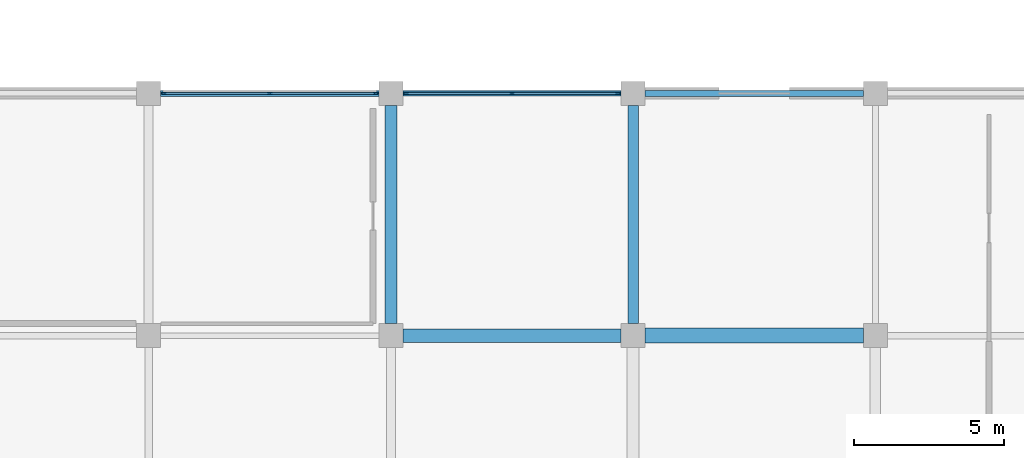
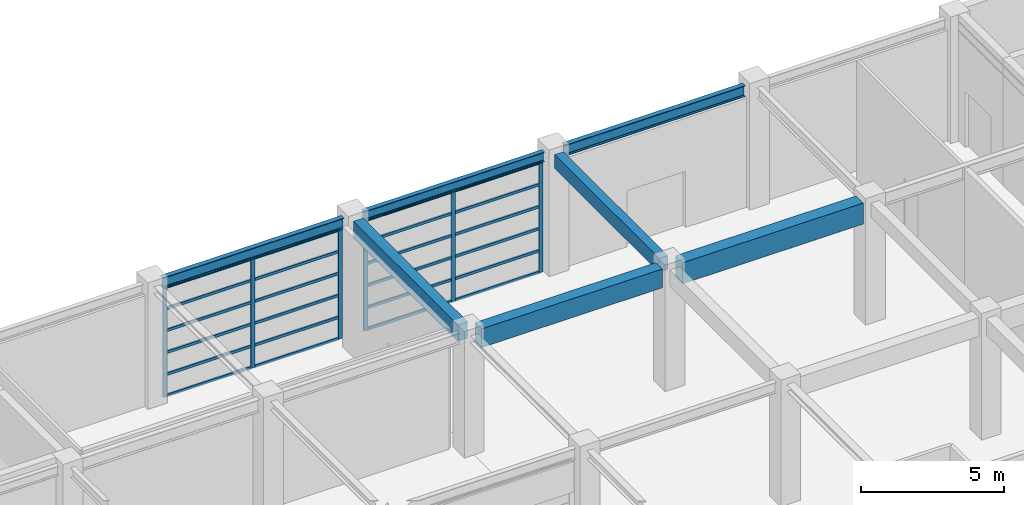
# One storey, part 25 of 52: 30 members, 7 beams, 2 elements without a shape of their own.
"""IFC4 building model written with IfcOpenShell, lengths in metres."""

import ifcopenshell
import ifcopenshell.guid

model = None  # the IFC model being written
_history = None  # IfcOwnerHistory: only IFC2X3 demands one
_inside = {}  # id of a spatial element -> (the spatial element, [elements in it])
_under = {}  # id of a project, library or spatial element -> (it, [spatial elements below it])
_declared = {}  # id of a project -> (the project, [libraries it declares])
_typed = {}  # id of a type object -> (the type object, [elements of that type])
_made_of = {}  # id of a material, layer set ... -> (it, [elements and type objects made of it])


def new_model(schema):
    """Start an empty IFC model of exactly this schema.

    Asked for "IFC4X3", IfcOpenShell would pick the latest addendum, in which some entities
    have other attributes; the version numbers below select the first issue.
    IFC2X3 requires an IfcOwnerHistory on every rooted entity: one is made here for all.
    """
    global model, _history
    if schema == "IFC4X3":
        model = ifcopenshell.file(schema_version=(4, 3, 0, 0))
    else:
        model = ifcopenshell.file(schema=schema)
    _inside.clear()
    _under.clear()
    _declared.clear()
    _typed.clear()
    _made_of.clear()
    _history = None
    if model.schema == "IFC2X3":
        org = make("IfcOrganization", Name="unknown")
        user = make(
            "IfcPersonAndOrganization",
            ThePerson=make("IfcPerson", FamilyName="unknown"),
            TheOrganization=org,
        )
        app = make(
            "IfcApplication",
            ApplicationDeveloper=org,
            Version="unknown",
            ApplicationFullName="unknown",
            ApplicationIdentifier="unknown",
        )
        _history = make(
            "IfcOwnerHistory",
            OwningUser=user,
            OwningApplication=app,
            ChangeAction="ADDED",
            CreationDate=0,
        )
    return model


def make(cls, **values):
    """One entity of the class cls with the attributes given. An attribute that is None is left unset."""
    return model.create_entity(
        cls, **{name: value for name, value in values.items() if value is not None}
    )


def rooted(cls, **values):
    """An entity with a GlobalId (a new one), such as an element, a storey or a relation."""
    return make(cls, GlobalId=ifcopenshell.guid.new(), OwnerHistory=_history, **values)


def si_unit(unit_type, name, prefix=None):
    """IfcSIUnit, for example si_unit("LENGTHUNIT", "METRE", prefix="MILLI")."""
    return make("IfcSIUnit", UnitType=unit_type, Prefix=prefix, Name=name)


def assignment(units):
    """IfcUnitAssignment: the units of a project."""
    return None if units is None else make("IfcUnitAssignment", Units=units)


def point(xyz):
    """IfcCartesianPoint."""
    return None if xyz is None else make("IfcCartesianPoint", Coordinates=xyz)


def direction(xyz):
    """IfcDirection."""
    return None if xyz is None else make("IfcDirection", DirectionRatios=xyz)


def frame(location, z_axis=None, x_axis=None):
    """IfcAxis2Placement3D, a coordinate frame: its origin and axes. An axis left out is left unset."""
    return make(
        "IfcAxis2Placement3D",
        Location=point(location),
        Axis=direction(z_axis),
        RefDirection=direction(x_axis),
    )


def frame_2d(location, x_axis=None):
    """IfcAxis2Placement2D, a coordinate frame in the plane: its origin and x axis."""
    return make(
        "IfcAxis2Placement2D", Location=point(location), RefDirection=direction(x_axis)
    )


def origin():
    """The frame at (0, 0, 0) with its axes left unset."""
    return frame((0.0, 0.0, 0.0))


def origin_2d():
    """The frame at (0, 0) in the plane with its x axis left unset."""
    return frame_2d((0.0, 0.0))


def place(relative_to, where):
    """IfcLocalPlacement: puts the frame where relative to a parent placement (None: the world)."""
    return make(
        "IfcLocalPlacement", PlacementRelTo=relative_to, RelativePlacement=where
    )


def context(
    kind, dimensions, precision=None, world=None, true_north=None, identifier=None
):
    """IfcGeometricRepresentationContext, for example the 3D "Model" context."""
    return make(
        "IfcGeometricRepresentationContext",
        ContextIdentifier=identifier,
        ContextType=kind,
        CoordinateSpaceDimension=dimensions,
        Precision=precision,
        WorldCoordinateSystem=world,
        TrueNorth=true_north,
    )


def subcontext(parent, identifier, kind, view, scale=None):
    """IfcGeometricRepresentationSubContext, for example "Body" below "Model"."""
    return make(
        "IfcGeometricRepresentationSubContext",
        ContextIdentifier=identifier,
        ContextType=kind,
        ParentContext=parent,
        TargetScale=scale,
        TargetView=view,
    )


def project(units=None, contexts=None):
    """IfcProject with its units and contexts."""
    return rooted(
        "IfcProject",
        Name="project",
        RepresentationContexts=contexts,
        UnitsInContext=assignment(units),
    )


def spatial(cls, under=None, at=None, **own):
    """A site, building, storey or space (cls), placed at a placement, below another one or the project."""
    s = rooted(cls, ObjectPlacement=at, **own)
    if under is not None:
        _under.setdefault(under.id(), (under, []))[1].append(s)
    return s


def profile(cls, at=None, kind="AREA", **sizes):
    """A parametric profile (cls). Its sizes go by their IFC names, for example OverallWidth=200.0."""
    return make(cls, ProfileType=kind, Position=at, **sizes)


def rectangle(**sizes):
    """IfcRectangleProfileDef."""
    return profile("IfcRectangleProfileDef", **sizes)


def i_section(**sizes):
    """IfcIShapeProfileDef."""
    return profile("IfcIShapeProfileDef", **sizes)


def extrude(swept, where, along, depth):
    """IfcExtrudedAreaSolid: the profile swept, set in the frame where, extruded along a direction by depth."""
    return make(
        "IfcExtrudedAreaSolid",
        SweptArea=swept,
        Position=where,
        ExtrudedDirection=direction(along),
        Depth=depth,
    )


def shape(context_of_items, identifier, shape_type, items):
    """IfcShapeRepresentation: the items that make up one representation, for example the "Body"."""
    return make(
        "IfcShapeRepresentation",
        ContextOfItems=context_of_items,
        RepresentationIdentifier=identifier,
        RepresentationType=shape_type,
        Items=items,
    )


def material(Name=None, Category=None):
    """IfcMaterial."""
    return make("IfcMaterial", Name=Name, Category=Category)


def material_profile(
    of_material, cross_section, Name=None, Category=None, Priority=None
):
    """IfcMaterialProfile: a cross section and its material."""
    return make(
        "IfcMaterialProfile",
        Name=Name,
        Material=of_material,
        Profile=cross_section,
        Priority=Priority,
        Category=Category,
    )


def profile_set(profiles, Name=None, composite=None):
    """IfcMaterialProfileSet."""
    return make(
        "IfcMaterialProfileSet",
        Name=Name,
        MaterialProfiles=profiles,
        CompositeProfile=composite,
    )


def made_of(thing, what):
    """Note that an element or type object is made of a material, layer set ...; save() writes the relation."""
    if what is not None:
        _made_of.setdefault(what.id(), (what, []))[1].append(thing)
    return thing


def type_object(cls, material=None, **own):
    """A type object (cls), such as IfcWallType, which elements share."""
    return made_of(rooted(cls, **own), material)


def element(
    cls,
    number,
    at=None,
    inside=None,
    cuts=None,
    type_object=None,
    material=None,
    context=None,
    identifier="Body",
    shape_type=None,
    held_by="IfcProductDefinitionShape",
    body=None,
    shapes=None,
    **own,
):
    """One element of the class cls, such as IfcWall. Its Tag is "e" and its number.

    at: its placement. inside: the storey or other place that contains it. cuts: it is an
    opening in that element (IfcRelVoidsElement). A single representation is given by context,
    identifier, shape_type and body (its items); several are given by shapes. held_by: the class
    of the entity that holds the representations. save() writes the other relations.
    """
    e = rooted(cls, Tag="e%d" % number, ObjectPlacement=at, **own)
    if body is not None:
        shapes = [shape(context, identifier, shape_type, body)]
    if shapes is not None:
        e.Representation = make(held_by, Representations=shapes)
    if inside is not None:
        _inside.setdefault(inside.id(), (inside, []))[1].append(e)
    if cuts is not None:
        rooted(
            "IfcRelVoidsElement", RelatingBuildingElement=cuts, RelatedOpeningElement=e
        )
    if type_object is not None:
        _typed.setdefault(type_object.id(), (type_object, []))[1].append(e)
    return made_of(e, material)


def aggregate(whole, parts):
    """IfcRelAggregates: a whole, such as a stair, and the parts it consists of."""
    return rooted("IfcRelAggregates", RelatingObject=whole, RelatedObjects=parts)


def save(model, path):
    """Write the relations noted so far, then the file.

    IfcRelAggregates (storeys below a building ...), IfcRelContainedInSpatialStructure (elements
    in a storey), IfcRelDefinesByType, IfcRelAssociatesMaterial and IfcRelDeclares: one each for
    every whole, place, type object, material and project.
    """
    for whole, parts in _under.values():
        aggregate(whole, parts)
    for where, things in _inside.values():
        rooted(
            "IfcRelContainedInSpatialStructure",
            RelatedElements=things,
            RelatingStructure=where,
        )
    for kind, things in _typed.values():
        rooted("IfcRelDefinesByType", RelatedObjects=things, RelatingType=kind)
    for what, things in _made_of.values():
        rooted("IfcRelAssociatesMaterial", RelatedObjects=things, RelatingMaterial=what)
    for by, libraries in _declared.values():
        rooted("IfcRelDeclares", RelatingContext=by, RelatedDefinitions=libraries)
    model.write(path)


model = new_model("IFC4")

# Units and contexts
model_context = context("Model", 3, precision=1e-05, world=origin(), true_north=direction((0.0, 1.0)))
body_context = subcontext(model_context, "Body", "Model", "MODEL_VIEW")
ifc_project = project(units=[si_unit("LENGTHUNIT", "METRE"), si_unit("AREAUNIT", "SQUARE_METRE"), si_unit("VOLUMEUNIT", "CUBIC_METRE"), si_unit("PLANEANGLEUNIT", "RADIAN"), si_unit("MASSUNIT", "GRAM", prefix="KILO")], contexts=[model_context])

# Site, building, storey
site_placement = place(None, origin())
site = spatial("IfcSite", under=ifc_project, at=site_placement, CompositionType="ELEMENT")
building_placement = place(site_placement, origin())
building = spatial("IfcBuilding", under=site, at=building_placement, Name="Parian Resonance Hall", CompositionType="ELEMENT")
storey_placement = place(building_placement, origin())
storey = spatial("IfcBuildingStorey", under=building, at=storey_placement, Name="L00", CompositionType="ELEMENT", Elevation=0.0)

# Beams
ifc_material_1 = material(Name="Concrete C40/50", Category="concrete")
ifc_material_profile_1 = material_profile(ifc_material_1, rectangle(XDim=0.35009765625, YDim=0.60009765625, at=origin_2d()), Name="RC-BM-350x600")
ifc_profile_set_1 = profile_set([ifc_material_profile_1], Name="Concrete C40/50")
beam_type_1 = type_object("IfcBeamType", Name="BM-RC350x600", PredefinedType="BEAM", material=ifc_profile_set_1)
beam_1_placement = place(storey_placement, frame((121.5, 81.39990234375, 4.830078125), z_axis=(0.0, 1.0, 0.0), x_axis=(-1.0, 0.0, 0.0)))
element("IfcBeam", 1, at=beam_1_placement, inside=storey, type_object=beam_type_1, Name="GY-L00-0472", PredefinedType="BEAM", context=body_context, shape_type="SweptSolid", body=[
    extrude(rectangle(XDim=0.35009765625, YDim=0.60009765625, at=origin_2d()), origin(), (0.0, 0.0, 1.0), 7.300048828125),
])
ifc_material_2 = material(Name="Concrete C40/50", Category="concrete")
ifc_material_profile_2 = material_profile(ifc_material_2, rectangle(XDim=0.39990234375, YDim=0.699951171875, at=origin_2d()), Name="RC-BM-400x700")
ifc_profile_set_2 = profile_set([ifc_material_profile_2], Name="Concrete C40/50")
beam_type_2 = type_object("IfcBeamType", Name="BM-RC400x700", PredefinedType="BEAM", material=ifc_profile_set_2)
beam_2_placement = place(storey_placement, frame((113.39990234375, 81.39990234375, 4.780029296875), z_axis=(0.0, 1.0, 0.0), x_axis=(-1.0, 0.0, 0.0)))
element("IfcBeam", 2, at=beam_2_placement, inside=storey, type_object=beam_type_2, Name="GY-L00-0463", PredefinedType="BEAM", context=body_context, shape_type="SweptSolid", body=[
    extrude(rectangle(XDim=0.39990234375, YDim=0.699951171875, at=origin_2d()), origin(), (0.0, 0.0, 1.0), 7.300048828125),
])
ifc_material_3 = material(Name="Concrete C40/50", Category="concrete")
ifc_material_profile_3 = material_profile(ifc_material_3, rectangle(XDim=0.449951171875, YDim=0.800048828125, at=origin_2d()), Name="RC-BM-450x800")
ifc_profile_set_3 = profile_set([ifc_material_profile_3], Name="Concrete C40/50")
beam_type_3 = type_object("IfcBeamType", Name="BM-RC450x800", PredefinedType="USERDEFINED", material=ifc_profile_set_3)
beam_3_placement = place(storey_placement, frame((113.800048828125, 81.0, 4.72998046875), z_axis=(1.0, 0.0, 0.0), x_axis=(0.0, 1.0, 0.0)))
element("IfcBeam", 3, at=beam_3_placement, inside=storey, type_object=beam_type_3, Name="GX-L00-0352", ObjectType="GIRDER", PredefinedType="USERDEFINED", context=body_context, shape_type="SweptSolid", body=[
    extrude(rectangle(XDim=0.449951171875, YDim=0.800048828125, at=origin_2d()), origin(), (0.0, 0.0, 1.0), 7.300048828125),
])
ifc_material_4 = material(Name="Concrete C40/50", Category="concrete")
ifc_material_profile_4 = material_profile(ifc_material_4, rectangle(XDim=0.5, YDim=0.89990234375, at=origin_2d()), Name="RC-BM-500x900")
ifc_profile_set_4 = profile_set([ifc_material_profile_4], Name="Concrete C40/50")
beam_type_4 = type_object("IfcBeamType", Name="BM-RC500x900", PredefinedType="USERDEFINED", material=ifc_profile_set_4)
beam_4_placement = place(storey_placement, frame((121.89990234375, 81.0, 4.679931640625), z_axis=(1.0, 0.0, 0.0), x_axis=(0.0, 1.0, 0.0)))
element("IfcBeam", 4, at=beam_4_placement, inside=storey, type_object=beam_type_4, Name="GX-L00-0361", ObjectType="GIRDER", PredefinedType="USERDEFINED", context=body_context, shape_type="SweptSolid", body=[
    extrude(rectangle(XDim=0.5, YDim=0.89990234375, at=origin_2d()), origin(), (0.0, 0.0, 1.0), 7.300048828125),
])
ifc_material_5 = material(Name="Steel S355", Category="steel")
ifc_material_profile_5 = material_profile(ifc_material_5, i_section(OverallWidth=0.180908203125, OverallDepth=0.4169921875, WebThickness=0.010986328125, FlangeThickness=0.018310546875, FilletRadius=0.01513671875, at=origin_2d()), Name="W410x85")
ifc_profile_set_5 = profile_set([ifc_material_profile_5], Name="Steel S355")
beam_type_5 = type_object("IfcBeamType", Name="BM-W410x85", PredefinedType="SPANDREL", material=ifc_profile_set_5)
beam_5_placement = place(storey_placement, frame((113.800048828125, 89.10009765625, 4.92138671875), z_axis=(1.0, 0.0, 0.0), x_axis=(0.0, 1.0, 0.0)))
element("IfcBeam", 5, at=beam_5_placement, inside=storey, type_object=beam_type_5, Name="GX-L00-0353", PredefinedType="SPANDREL", context=body_context, shape_type="SweptSolid", body=[
    extrude(i_section(OverallWidth=0.180908203125, OverallDepth=0.4169921875, WebThickness=0.010986328125, FlangeThickness=0.018310546875, FilletRadius=0.01513671875, at=origin_2d()), origin(), (0.0, 0.0, 1.0), 7.300048828125),
])
ifc_material_6 = material(Name="Steel S355", Category="steel")
ifc_material_profile_6 = material_profile(ifc_material_6, i_section(OverallWidth=0.194091796875, OverallDepth=0.468994140625, WebThickness=0.0126953125, FlangeThickness=0.0205078125, FilletRadius=0.01513671875, at=origin_2d()), Name="W460x106")
ifc_profile_set_6 = profile_set([ifc_material_profile_6], Name="Steel S355")
beam_type_6 = type_object("IfcBeamType", Name="BM-W460x106", PredefinedType="SPANDREL", material=ifc_profile_set_6)
for number, where, z_axis, x_axis, name in (
    (6, (105.699951171875, 89.10009765625, 4.91552734375), (1.0, 0.0, 0.0), (0.0, 1.0, 0.0), "GX-L00-0343"),
    (7, (121.89990234375, 89.10009765625, 4.8955078125), (1.0, 0.0, 0.0), (0.0, 1.0, 0.0), "GX-L00-0362"),
):
    element("IfcBeam", number, at=place(storey_placement, frame(where, z_axis=z_axis, x_axis=x_axis)), inside=storey, type_object=beam_type_6, Name=name, PredefinedType="SPANDREL", context=body_context, shape_type="SweptSolid", body=[
        extrude(i_section(OverallWidth=0.194091796875, OverallDepth=0.468994140625, WebThickness=0.0126953125, FlangeThickness=0.0205078125, FilletRadius=0.01513671875, at=origin_2d()), origin(), (0.0, 0.0, 1.0), 7.300048828125),
    ])

# Curtain wall, members
ifc_material_7 = material(Name="Bronze-anodised aluminium frame", Category="aluminium")
curtain_wall_type_1 = type_object("IfcCurtainWallType", Name="CW-SYS-02", PredefinedType="NOTDEFINED", material=ifc_material_7)
curtain_wall_1_placement = place(storey_placement, origin())
curtain_wall_1 = element("IfcCurtainWall", 8, at=curtain_wall_1_placement, inside=storey, type_object=curtain_wall_type_1, Name="Curtain wall CW-L00-103", PredefinedType="NOTDEFINED")
ifc_material_8 = material(Name="Bronze-anodised aluminium frame", Category="aluminium")
ifc_material_profile_7 = material_profile(ifc_material_8, rectangle(XDim=0.06494140625, YDim=0.159912109375, at=origin_2d()), Name="CWM-65x160")
ifc_profile_set_7 = profile_set([ifc_material_profile_7], Name="Bronze-anodised aluminium frame")
member_type_1 = type_object("IfcMemberType", Name="CWM-65x160", PredefinedType="MULLION", material=ifc_profile_set_7)
member_1_placement = place(storey_placement, frame((105.8125, 89.10009765625, -0.008056640625), z_axis=(0.0, 0.0, 1.0), x_axis=(0.0, 1.0, 0.0)))
member_1 = element("IfcMember", 9, at=member_1_placement, type_object=member_type_1, Name="CW-02 mullion 1", PredefinedType="MULLION", context=body_context, shape_type="SweptSolid", body=[
    extrude(rectangle(XDim=0.06494140625, YDim=0.159912109375, at=origin_2d()), origin(), (0.0, 0.0, 1.0), 4.693115234375),
])
member_2_placement = place(storey_placement, frame((109.35009765625, 89.10009765625, -0.008056640625), z_axis=(0.0, 0.0, 1.0), x_axis=(0.0, 1.0, 0.0)))
member_2 = element("IfcMember", 10, at=member_2_placement, type_object=member_type_1, Name="CW-02 mullion 2", PredefinedType="MULLION", context=body_context, shape_type="SweptSolid", body=[
    extrude(rectangle(XDim=0.06494140625, YDim=0.159912109375, at=origin_2d()), origin(), (0.0, 0.0, 1.0), 4.693115234375),
])
member_3_placement = place(storey_placement, frame((112.887451171875, 89.10009765625, -0.008056640625), z_axis=(0.0, 0.0, 1.0), x_axis=(0.0, 1.0, 0.0)))
member_3 = element("IfcMember", 11, at=member_3_placement, type_object=member_type_1, Name="CW-02 mullion 3", PredefinedType="MULLION", context=body_context, shape_type="SweptSolid", body=[
    extrude(rectangle(XDim=0.06494140625, YDim=0.159912109375, at=origin_2d()), origin(), (0.0, 0.0, 1.0), 4.693115234375),
])

ifc_material_9 = material(Name="Bronze-anodised aluminium frame", Category="aluminium")
curtain_wall_type_2 = type_object("IfcCurtainWallType", Name="CW-SYS-03", PredefinedType="NOTDEFINED", material=ifc_material_9)
curtain_wall_2_placement = place(storey_placement, origin())
curtain_wall_2 = element("IfcCurtainWall", 12, at=curtain_wall_2_placement, inside=storey, type_object=curtain_wall_type_2, Name="Curtain wall CW-L00-143", PredefinedType="NOTDEFINED")
member_4_placement = place(storey_placement, frame((113.91259765625, 89.10009765625, -0.008056640625), z_axis=(0.0, 0.0, 1.0), x_axis=(0.0, 1.0, 0.0)))
member_4 = element("IfcMember", 13, at=member_4_placement, type_object=member_type_1, Name="CW-03 mullion 1", PredefinedType="MULLION", context=body_context, shape_type="SweptSolid", body=[
    extrude(rectangle(XDim=0.06494140625, YDim=0.159912109375, at=origin_2d()), origin(), (0.0, 0.0, 1.0), 4.72509765625),
])
member_5_placement = place(storey_placement, frame((117.449951171875, 89.10009765625, -0.008056640625), z_axis=(0.0, 0.0, 1.0), x_axis=(0.0, 1.0, 0.0)))
member_5 = element("IfcMember", 14, at=member_5_placement, type_object=member_type_1, Name="CW-03 mullion 2", PredefinedType="MULLION", context=body_context, shape_type="SweptSolid", body=[
    extrude(rectangle(XDim=0.06494140625, YDim=0.159912109375, at=origin_2d()), origin(), (0.0, 0.0, 1.0), 4.72509765625),
])
member_6_placement = place(storey_placement, frame((120.987548828125, 89.10009765625, -0.008056640625), z_axis=(0.0, 0.0, 1.0), x_axis=(0.0, 1.0, 0.0)))
member_6 = element("IfcMember", 15, at=member_6_placement, type_object=member_type_1, Name="CW-03 mullion 3", PredefinedType="MULLION", context=body_context, shape_type="SweptSolid", body=[
    extrude(rectangle(XDim=0.06494140625, YDim=0.159912109375, at=origin_2d()), origin(), (0.0, 0.0, 1.0), 4.72509765625),
])

# Member
ifc_material_10 = material(Name="Bronze-anodised aluminium frame", Category="aluminium")
ifc_material_profile_8 = material_profile(ifc_material_10, rectangle(XDim=0.06494140625, YDim=0.1201171875, at=origin_2d()), Name="CWT-65x120")
ifc_profile_set_8 = profile_set([ifc_material_profile_8], Name="Bronze-anodised aluminium frame")
member_type_2 = type_object("IfcMemberType", Name="CWT-65x120", PredefinedType="USERDEFINED", material=ifc_profile_set_8)
member_7_placement = place(storey_placement, frame((105.844970703125, 89.10009765625, 0.0244140625), z_axis=(1.0, 0.0, 0.0), x_axis=(0.0, 1.0, 0.0)))
member_7 = element("IfcMember", 16, at=member_7_placement, type_object=member_type_2, Name="CW-02 transom 1.1", ObjectType="TRANSOM", PredefinedType="USERDEFINED", context=body_context, shape_type="SweptSolid", body=[
    extrude(rectangle(XDim=0.06494140625, YDim=0.1201171875, at=origin_2d()), origin(), (0.0, 0.0, 1.0), 3.472412109375),
])

member_8_placement = place(storey_placement, frame((105.844970703125, 89.10009765625, 0.93505859375), z_axis=(1.0, 0.0, 0.0), x_axis=(0.0, 1.0, 0.0)))
member_8 = element("IfcMember", 17, at=member_8_placement, type_object=member_type_2, Name="CW-02 transom 1.2", ObjectType="TRANSOM", PredefinedType="USERDEFINED", context=body_context, shape_type="SweptSolid", body=[
    extrude(rectangle(XDim=0.06494140625, YDim=0.1201171875, at=origin_2d()), origin(), (0.0, 0.0, 1.0), 3.472412109375),
])

member_9_placement = place(storey_placement, frame((105.844970703125, 89.10009765625, 1.8701171875), z_axis=(1.0, 0.0, 0.0), x_axis=(0.0, 1.0, 0.0)))
member_9 = element("IfcMember", 18, at=member_9_placement, type_object=member_type_2, Name="CW-02 transom 1.3", ObjectType="TRANSOM", PredefinedType="USERDEFINED", context=body_context, shape_type="SweptSolid", body=[
    extrude(rectangle(XDim=0.06494140625, YDim=0.1201171875, at=origin_2d()), origin(), (0.0, 0.0, 1.0), 3.472412109375),
])

member_10_placement = place(storey_placement, frame((105.844970703125, 89.10009765625, 2.804931640625), z_axis=(1.0, 0.0, 0.0), x_axis=(0.0, 1.0, 0.0)))
member_10 = element("IfcMember", 19, at=member_10_placement, type_object=member_type_2, Name="CW-02 transom 1.4", ObjectType="TRANSOM", PredefinedType="USERDEFINED", context=body_context, shape_type="SweptSolid", body=[
    extrude(rectangle(XDim=0.06494140625, YDim=0.1201171875, at=origin_2d()), origin(), (0.0, 0.0, 1.0), 3.472412109375),
])

member_11_placement = place(storey_placement, frame((105.844970703125, 89.10009765625, 3.739990234375), z_axis=(1.0, 0.0, 0.0), x_axis=(0.0, 1.0, 0.0)))
member_11 = element("IfcMember", 20, at=member_11_placement, type_object=member_type_2, Name="CW-02 transom 1.5", ObjectType="TRANSOM", PredefinedType="USERDEFINED", context=body_context, shape_type="SweptSolid", body=[
    extrude(rectangle(XDim=0.06494140625, YDim=0.1201171875, at=origin_2d()), origin(), (0.0, 0.0, 1.0), 3.472412109375),
])

member_12_placement = place(storey_placement, frame((105.844970703125, 89.10009765625, 4.652587890625), z_axis=(1.0, 0.0, 0.0), x_axis=(0.0, 1.0, 0.0)))
member_12 = element("IfcMember", 21, at=member_12_placement, type_object=member_type_2, Name="CW-02 transom 1.6", ObjectType="TRANSOM", PredefinedType="USERDEFINED", context=body_context, shape_type="SweptSolid", body=[
    extrude(rectangle(XDim=0.06494140625, YDim=0.1201171875, at=origin_2d()), origin(), (0.0, 0.0, 1.0), 3.472412109375),
])

member_13_placement = place(storey_placement, frame((109.382568359375, 89.10009765625, 0.0244140625), z_axis=(1.0, 0.0, 0.0), x_axis=(0.0, 1.0, 0.0)))
member_13 = element("IfcMember", 22, at=member_13_placement, type_object=member_type_2, Name="CW-02 transom 2.1", ObjectType="TRANSOM", PredefinedType="USERDEFINED", context=body_context, shape_type="SweptSolid", body=[
    extrude(rectangle(XDim=0.06494140625, YDim=0.1201171875, at=origin_2d()), origin(), (0.0, 0.0, 1.0), 3.472412109375),
])

member_14_placement = place(storey_placement, frame((109.382568359375, 89.10009765625, 0.93505859375), z_axis=(1.0, 0.0, 0.0), x_axis=(0.0, 1.0, 0.0)))
member_14 = element("IfcMember", 23, at=member_14_placement, type_object=member_type_2, Name="CW-02 transom 2.2", ObjectType="TRANSOM", PredefinedType="USERDEFINED", context=body_context, shape_type="SweptSolid", body=[
    extrude(rectangle(XDim=0.06494140625, YDim=0.1201171875, at=origin_2d()), origin(), (0.0, 0.0, 1.0), 3.472412109375),
])

member_15_placement = place(storey_placement, frame((109.382568359375, 89.10009765625, 1.8701171875), z_axis=(1.0, 0.0, 0.0), x_axis=(0.0, 1.0, 0.0)))
member_15 = element("IfcMember", 24, at=member_15_placement, type_object=member_type_2, Name="CW-02 transom 2.3", ObjectType="TRANSOM", PredefinedType="USERDEFINED", context=body_context, shape_type="SweptSolid", body=[
    extrude(rectangle(XDim=0.06494140625, YDim=0.1201171875, at=origin_2d()), origin(), (0.0, 0.0, 1.0), 3.472412109375),
])

member_16_placement = place(storey_placement, frame((109.382568359375, 89.10009765625, 2.804931640625), z_axis=(1.0, 0.0, 0.0), x_axis=(0.0, 1.0, 0.0)))
member_16 = element("IfcMember", 25, at=member_16_placement, type_object=member_type_2, Name="CW-02 transom 2.4", ObjectType="TRANSOM", PredefinedType="USERDEFINED", context=body_context, shape_type="SweptSolid", body=[
    extrude(rectangle(XDim=0.06494140625, YDim=0.1201171875, at=origin_2d()), origin(), (0.0, 0.0, 1.0), 3.472412109375),
])

member_17_placement = place(storey_placement, frame((109.382568359375, 89.10009765625, 3.739990234375), z_axis=(1.0, 0.0, 0.0), x_axis=(0.0, 1.0, 0.0)))
member_17 = element("IfcMember", 26, at=member_17_placement, type_object=member_type_2, Name="CW-02 transom 2.5", ObjectType="TRANSOM", PredefinedType="USERDEFINED", context=body_context, shape_type="SweptSolid", body=[
    extrude(rectangle(XDim=0.06494140625, YDim=0.1201171875, at=origin_2d()), origin(), (0.0, 0.0, 1.0), 3.472412109375),
])

member_18_placement = place(storey_placement, frame((109.382568359375, 89.10009765625, 4.652587890625), z_axis=(1.0, 0.0, 0.0), x_axis=(0.0, 1.0, 0.0)))
member_18 = element("IfcMember", 27, at=member_18_placement, type_object=member_type_2, Name="CW-02 transom 2.6", ObjectType="TRANSOM", PredefinedType="USERDEFINED", context=body_context, shape_type="SweptSolid", body=[
    extrude(rectangle(XDim=0.06494140625, YDim=0.1201171875, at=origin_2d()), origin(), (0.0, 0.0, 1.0), 3.472412109375),
])

aggregate(curtain_wall_1, [member_1, member_2, member_3, member_7, member_8, member_9, member_10, member_11, member_12, member_13, member_14, member_15, member_16, member_17, member_18])

member_19_placement = place(storey_placement, frame((113.945068359375, 89.10009765625, 0.0244140625), z_axis=(1.0, 0.0, 0.0), x_axis=(0.0, 1.0, 0.0)))
member_19 = element("IfcMember", 28, at=member_19_placement, type_object=member_type_2, Name="CW-03 transom 1.1", ObjectType="TRANSOM", PredefinedType="USERDEFINED", context=body_context, shape_type="SweptSolid", body=[
    extrude(rectangle(XDim=0.06494140625, YDim=0.1201171875, at=origin_2d()), origin(), (0.0, 0.0, 1.0), 3.472412109375),
])

member_20_placement = place(storey_placement, frame((113.945068359375, 89.10009765625, 0.94140625), z_axis=(1.0, 0.0, 0.0), x_axis=(0.0, 1.0, 0.0)))
member_20 = element("IfcMember", 29, at=member_20_placement, type_object=member_type_2, Name="CW-03 transom 1.2", ObjectType="TRANSOM", PredefinedType="USERDEFINED", context=body_context, shape_type="SweptSolid", body=[
    extrude(rectangle(XDim=0.06494140625, YDim=0.1201171875, at=origin_2d()), origin(), (0.0, 0.0, 1.0), 3.472412109375),
])

member_21_placement = place(storey_placement, frame((113.945068359375, 89.10009765625, 1.8828125), z_axis=(1.0, 0.0, 0.0), x_axis=(0.0, 1.0, 0.0)))
member_21 = element("IfcMember", 30, at=member_21_placement, type_object=member_type_2, Name="CW-03 transom 1.3", ObjectType="TRANSOM", PredefinedType="USERDEFINED", context=body_context, shape_type="SweptSolid", body=[
    extrude(rectangle(XDim=0.06494140625, YDim=0.1201171875, at=origin_2d()), origin(), (0.0, 0.0, 1.0), 3.472412109375),
])

member_22_placement = place(storey_placement, frame((113.945068359375, 89.10009765625, 2.82421875), z_axis=(1.0, 0.0, 0.0), x_axis=(0.0, 1.0, 0.0)))
member_22 = element("IfcMember", 31, at=member_22_placement, type_object=member_type_2, Name="CW-03 transom 1.4", ObjectType="TRANSOM", PredefinedType="USERDEFINED", context=body_context, shape_type="SweptSolid", body=[
    extrude(rectangle(XDim=0.06494140625, YDim=0.1201171875, at=origin_2d()), origin(), (0.0, 0.0, 1.0), 3.472412109375),
])

member_23_placement = place(storey_placement, frame((113.945068359375, 89.10009765625, 3.765625), z_axis=(1.0, 0.0, 0.0), x_axis=(0.0, 1.0, 0.0)))
member_23 = element("IfcMember", 32, at=member_23_placement, type_object=member_type_2, Name="CW-03 transom 1.5", ObjectType="TRANSOM", PredefinedType="USERDEFINED", context=body_context, shape_type="SweptSolid", body=[
    extrude(rectangle(XDim=0.06494140625, YDim=0.1201171875, at=origin_2d()), origin(), (0.0, 0.0, 1.0), 3.472412109375),
])

member_24_placement = place(storey_placement, frame((113.945068359375, 89.10009765625, 4.6845703125), z_axis=(1.0, 0.0, 0.0), x_axis=(0.0, 1.0, 0.0)))
member_24 = element("IfcMember", 33, at=member_24_placement, type_object=member_type_2, Name="CW-03 transom 1.6", ObjectType="TRANSOM", PredefinedType="USERDEFINED", context=body_context, shape_type="SweptSolid", body=[
    extrude(rectangle(XDim=0.06494140625, YDim=0.1201171875, at=origin_2d()), origin(), (0.0, 0.0, 1.0), 3.472412109375),
])

member_25_placement = place(storey_placement, frame((117.482421875, 89.10009765625, 0.0244140625), z_axis=(1.0, 0.0, 0.0), x_axis=(0.0, 1.0, 0.0)))
member_25 = element("IfcMember", 34, at=member_25_placement, type_object=member_type_2, Name="CW-03 transom 2.1", ObjectType="TRANSOM", PredefinedType="USERDEFINED", context=body_context, shape_type="SweptSolid", body=[
    extrude(rectangle(XDim=0.06494140625, YDim=0.1201171875, at=origin_2d()), origin(), (0.0, 0.0, 1.0), 3.47265625),
])

member_26_placement = place(storey_placement, frame((117.482421875, 89.10009765625, 0.94140625), z_axis=(1.0, 0.0, 0.0), x_axis=(0.0, 1.0, 0.0)))
member_26 = element("IfcMember", 35, at=member_26_placement, type_object=member_type_2, Name="CW-03 transom 2.2", ObjectType="TRANSOM", PredefinedType="USERDEFINED", context=body_context, shape_type="SweptSolid", body=[
    extrude(rectangle(XDim=0.06494140625, YDim=0.1201171875, at=origin_2d()), origin(), (0.0, 0.0, 1.0), 3.47265625),
])

member_27_placement = place(storey_placement, frame((117.482421875, 89.10009765625, 1.8828125), z_axis=(1.0, 0.0, 0.0), x_axis=(0.0, 1.0, 0.0)))
member_27 = element("IfcMember", 36, at=member_27_placement, type_object=member_type_2, Name="CW-03 transom 2.3", ObjectType="TRANSOM", PredefinedType="USERDEFINED", context=body_context, shape_type="SweptSolid", body=[
    extrude(rectangle(XDim=0.06494140625, YDim=0.1201171875, at=origin_2d()), origin(), (0.0, 0.0, 1.0), 3.47265625),
])

member_28_placement = place(storey_placement, frame((117.482421875, 89.10009765625, 2.82421875), z_axis=(1.0, 0.0, 0.0), x_axis=(0.0, 1.0, 0.0)))
member_28 = element("IfcMember", 37, at=member_28_placement, type_object=member_type_2, Name="CW-03 transom 2.4", ObjectType="TRANSOM", PredefinedType="USERDEFINED", context=body_context, shape_type="SweptSolid", body=[
    extrude(rectangle(XDim=0.06494140625, YDim=0.1201171875, at=origin_2d()), origin(), (0.0, 0.0, 1.0), 3.47265625),
])

member_29_placement = place(storey_placement, frame((117.482421875, 89.10009765625, 3.765625), z_axis=(1.0, 0.0, 0.0), x_axis=(0.0, 1.0, 0.0)))
member_29 = element("IfcMember", 38, at=member_29_placement, type_object=member_type_2, Name="CW-03 transom 2.5", ObjectType="TRANSOM", PredefinedType="USERDEFINED", context=body_context, shape_type="SweptSolid", body=[
    extrude(rectangle(XDim=0.06494140625, YDim=0.1201171875, at=origin_2d()), origin(), (0.0, 0.0, 1.0), 3.47265625),
])

member_30_placement = place(storey_placement, frame((117.482421875, 89.10009765625, 4.6845703125), z_axis=(1.0, 0.0, 0.0), x_axis=(0.0, 1.0, 0.0)))
member_30 = element("IfcMember", 39, at=member_30_placement, type_object=member_type_2, Name="CW-03 transom 2.6", ObjectType="TRANSOM", PredefinedType="USERDEFINED", context=body_context, shape_type="SweptSolid", body=[
    extrude(rectangle(XDim=0.06494140625, YDim=0.1201171875, at=origin_2d()), origin(), (0.0, 0.0, 1.0), 3.47265625),
])

aggregate(curtain_wall_2, [member_4, member_5, member_6, member_19, member_20, member_21, member_22, member_23, member_24, member_25, member_26, member_27, member_28, member_29, member_30])

save(model, "model.ifc")
